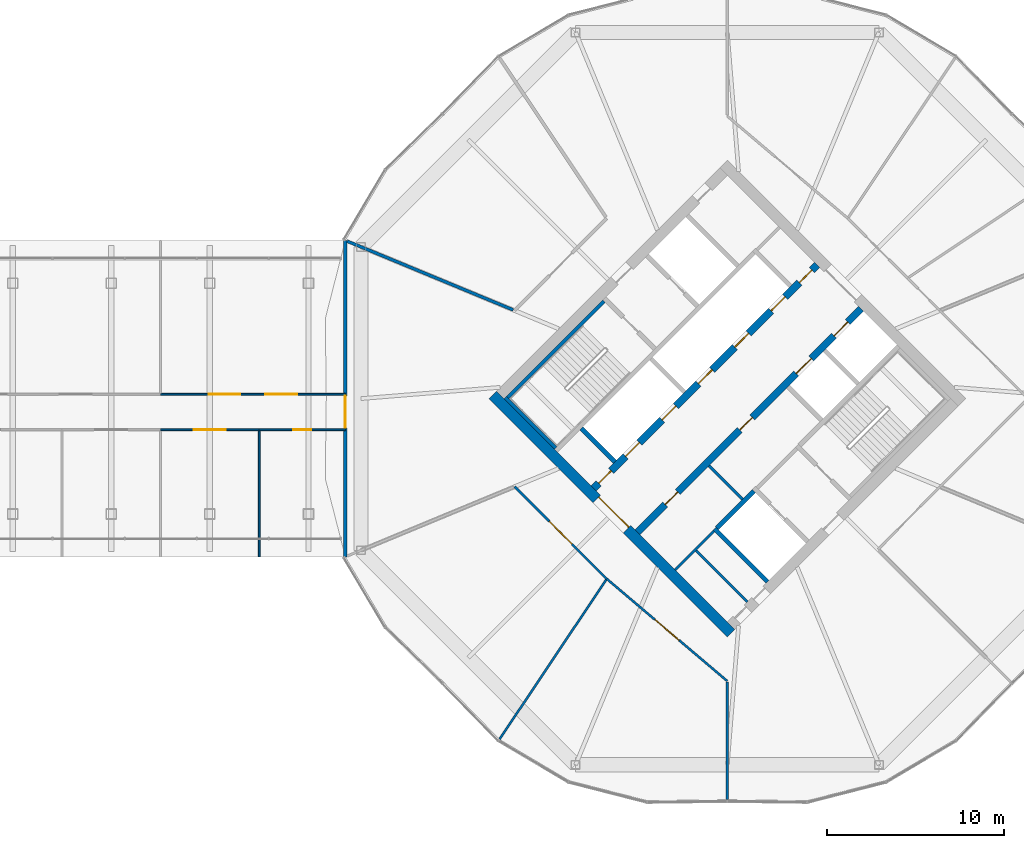
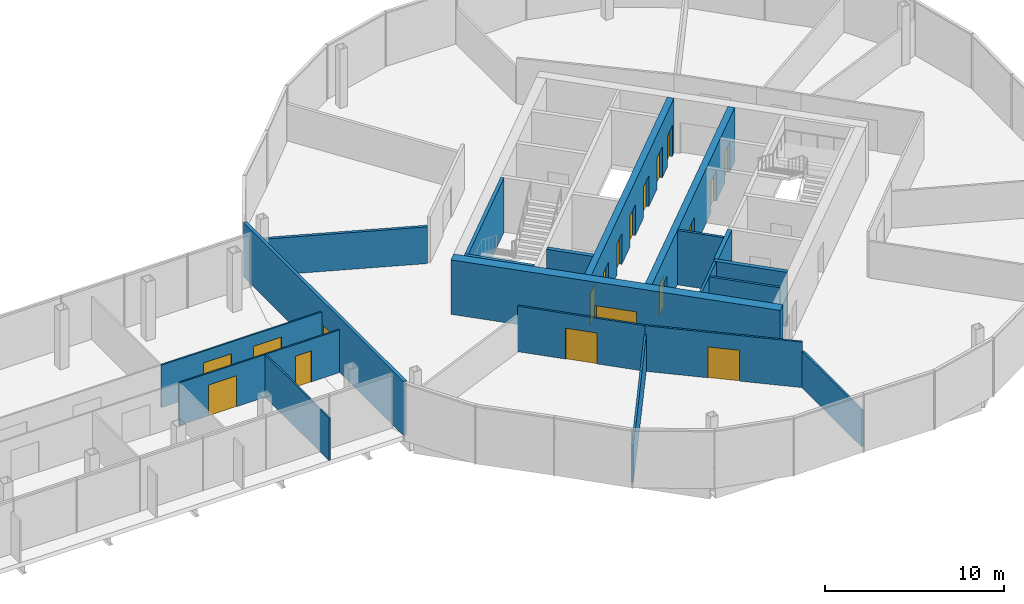
# One storey, part 22 of 25: 21 walls, 19 doors, 19 openings.
"""IFC4 building model written with IfcOpenShell, lengths in metres."""

from ifc_helpers import new_model, si_unit, direction, frame, frame_2d, origin, place, context, subcontext, project, spatial, rectangle, extrude, material, layer, layer_set, type_object, element, fill, save


model = new_model("IFC4")

# Units and contexts
model_context = context("Model", 3, precision=1e-05, world=origin(), true_north=direction((0.0, 1.0)))
body_context = subcontext(model_context, "Body", "Model", "MODEL_VIEW")
ifc_project = project(units=[si_unit("LENGTHUNIT", "METRE"), si_unit("AREAUNIT", "SQUARE_METRE"), si_unit("VOLUMEUNIT", "CUBIC_METRE"), si_unit("PLANEANGLEUNIT", "RADIAN"), si_unit("MASSUNIT", "GRAM", prefix="KILO")], contexts=[model_context])

# Site, building, storey
site_placement = place(None, origin())
site = spatial("IfcSite", under=ifc_project, at=site_placement, CompositionType="ELEMENT")
building_placement = place(site_placement, origin())
building = spatial("IfcBuilding", under=site, at=building_placement, Name="Ogive Gate Towers", CompositionType="ELEMENT")
storey_placement = place(building_placement, frame((0.0, 0.0, 144.800048828125)))
storey = spatial("IfcBuildingStorey", under=building, at=storey_placement, Name="L34", CompositionType="ELEMENT", Elevation=144.800048828125)

# Wall
ifc_material_1 = material(Name="Gypsum board acoustic partition")
ifc_layer_1 = layer(ifc_material_1, 0.175048828125)
ifc_layer_set_1 = layer_set([ifc_layer_1], Name="Acoustic partition 175")
wall_type_1 = type_object("IfcWallType", Name="Acoustic partition 175", PredefinedType="PARTITIONING", material=ifc_layer_set_1)
wall_1_placement = place(storey_placement, frame((14.573486328125, 8.875, 0.0), z_axis=(0.0, 0.0, 1.0), x_axis=(0.923886751229, -0.382666004375, 0.0)))
element("IfcWall", 1, at=wall_1_placement, inside=storey, type_object=wall_type_1, Name="Partition T2-L34-006", PredefinedType="PARTITIONING", context=body_context, shape_type="SweptSolid", body=[
    extrude(rectangle(XDim=10.13330078125, YDim=0.175048828125, at=frame_2d((5.066650390625, 0.0))), origin(), (0.0, 0.0, 1.0), 2.5),
])

# Wall, opening, door
ifc_material_2 = material(Name="Concrete C60/75", Category="concrete")
ifc_layer_2 = layer(ifc_material_2, 0.60009765625)
ifc_layer_set_2 = layer_set([ifc_layer_2], Name="Core wall 600 mm")
wall_type_2 = type_object("IfcWallType", Name="Core wall 600 mm", PredefinedType="SHEAR", material=ifc_layer_set_2)
wall_2_placement = place(storey_placement, frame((36.212158203125, -13.222900390625, 0.0), z_axis=(0.0, 0.0, 1.0), x_axis=(-0.707106781187, 0.707106781187, 0.0)))
wall_2 = element("IfcWall", 2, at=wall_2_placement, inside=storey, type_object=wall_type_2, Name="T2 L34 Core wall 600 mm", PredefinedType="SHEAR", context=body_context, shape_type="SweptSolid", body=[
    extrude(rectangle(XDim=19.0, YDim=0.60009765625, at=frame_2d((9.5, 0.0))), origin(), (0.0, 0.0, 1.0), 3.699951171875),
])
opening_1_placement = place(wall_2_placement, frame((8.300048828125, 0.0, 0.0)))
opening_1 = element("IfcOpeningElement", 3, at=opening_1_placement, cuts=wall_2, Name="Opening KD-T2-L34-01", PredefinedType="OPENING", context=body_context, shape_type="SweptSolid", body=[
    extrude(rectangle(XDim=2.39990234375, YDim=2.10009765625, at=frame_2d((1.199951171875, 1.050048828125))), frame((0.0, 0.31005859375, 0.0), z_axis=(0.0, -1.0, 0.0), x_axis=(1.0, 0.0, 0.0)), (0.0, 0.0, 1.0), 0.6201171875),
])
ifc_material_3 = material(Name="Steel fire door", Category="steel")
door_type_1 = type_object("IfcDoorType", Name="Core double door FD60S 2400 x 2100", OperationType="DOUBLE_DOOR_SINGLE_SWING", PredefinedType="DOOR", material=ifc_material_3)
door_1_placement = place(opening_1_placement, origin())
door_1 = element("IfcDoor", 4, at=door_1_placement, inside=storey, type_object=door_type_1, Name="T2 L34 Core door double", OperationType="DOUBLE_DOOR_SINGLE_SWING", OverallHeight=2.10009765625, OverallWidth=2.39990234375, PredefinedType="DOOR", context=body_context, shape_type="SweptSolid", body=[
    extrude(rectangle(XDim=2.39990234375, YDim=2.10009765625, at=frame_2d((1.199951171875, 1.050048828125))), frame((0.0, -0.125, 0.0), z_axis=(0.0, -1.0, 0.0), x_axis=(1.0, 0.0, 0.0)), (0.0, 0.0, 1.0), 0.050048828125),
])
fill(opening_1, door_1)

# Walls
ifc_material_4 = material(Name="Gypsum board partition")
ifc_layer_3 = layer(ifc_material_4, 0.125)
ifc_layer_set_3 = layer_set([ifc_layer_3], Name="Partition 125")
wall_type_3 = type_object("IfcWallType", Name="Partition 125", PredefinedType="PARTITIONING", material=ifc_layer_set_3)
wall_3_placement = place(storey_placement, frame((23.16015625, -19.2021484375, 0.0), z_axis=(0.0, 0.0, 1.0), x_axis=(0.55586120494, 0.831275117421, 0.0)))
element("IfcWall", 5, at=wall_3_placement, inside=storey, type_object=wall_type_3, Name="Partition T2-L34-008", PredefinedType="PARTITIONING", context=body_context, shape_type="SweptSolid", body=[
    extrude(rectangle(XDim=10.81640625, YDim=0.125, at=frame_2d((5.408203125, 0.0))), origin(), (0.0, 0.0, 1.0), 2.5),
])
wall_4_placement = place(storey_placement, frame((36.0, -22.59912109375, 0.0), z_axis=(0.0, 0.0, 1.0), x_axis=(0.0, 1.0, 0.0)))
element("IfcWall", 6, at=wall_4_placement, inside=storey, type_object=wall_type_3, Name="Partition T2-L34-009", PredefinedType="PARTITIONING", context=body_context, shape_type="SweptSolid", body=[
    extrude(rectangle(XDim=6.61669921875, YDim=0.125, at=frame_2d((3.308349609375, 0.0))), origin(), (0.0, 0.0, 1.0), 2.5),
])

# Wall, opening, door
wall_5_placement = place(storey_placement, frame((24.016357421875, -4.9638671875, 0.0), z_axis=(0.0, 0.0, 1.0), x_axis=(0.706840776595, -0.707372685748, 0.0)))
wall_5 = element("IfcWall", 7, at=wall_5_placement, inside=storey, type_object=wall_type_3, Name="Partition T2-L34-012", PredefinedType="PARTITIONING", context=body_context, shape_type="SweptSolid", body=[
    extrude(rectangle(XDim=7.34375, YDim=0.125, at=frame_2d((3.671875, 0.0))), origin(), (0.0, 0.0, 1.0), 3.099853515625),
])
opening_2_placement = place(wall_5_placement, frame((2.77197265625, 0.0, 0.0)))
opening_2 = element("IfcOpeningElement", 8, at=opening_2_placement, cuts=wall_5, Name="Opening T2-L34-D01", PredefinedType="OPENING", context=body_context, shape_type="SweptSolid", body=[
    extrude(rectangle(XDim=1.800048828125, YDim=2.10009765625, at=frame_2d((0.89990234375, 1.050048828125))), frame((0.0, 0.072509765625, 0.0), z_axis=(0.0, -1.0, 0.0), x_axis=(1.0, 0.0, 0.0)), (0.0, 0.0, 1.0), 0.14501953125),
])
ifc_material_5 = material(Name="Timber door", Category="wood")
door_type_2 = type_object("IfcDoorType", Name="Door pair 1800", OperationType="NOTDEFINED", PredefinedType="DOOR", material=ifc_material_5)
door_2_placement = place(opening_2_placement, origin())
door_2 = element("IfcDoor", 9, at=door_2_placement, inside=storey, type_object=door_type_2, Name="Door T2-L34-D01", OperationType="DOUBLE_DOOR_DOUBLE_SWING", OverallHeight=2.10009765625, OverallWidth=1.800048828125, PredefinedType="DOOR", context=body_context, shape_type="SweptSolid", body=[
    extrude(rectangle(XDim=1.800048828125, YDim=2.10009765625, at=frame_2d((0.89990234375, 1.050048828125))), frame((0.0, 0.02490234375, 0.0), z_axis=(0.0, -1.0, 0.0), x_axis=(1.0, 0.0, 0.0)), (0.0, 0.0, 1.0), 0.050048828125),
])
fill(opening_2, door_2)

wall_6_placement = place(storey_placement, frame((29.207275390625, -10.15869140625, 0.0), z_axis=(0.0, 0.0, 1.0), x_axis=(0.762636147482, -0.646827725561, 0.0)))
wall_6 = element("IfcWall", 10, at=wall_6_placement, inside=storey, type_object=wall_type_3, Name="Partition T2-L34-013", PredefinedType="PARTITIONING", context=body_context, shape_type="SweptSolid", body=[
    extrude(rectangle(XDim=8.906982421875, YDim=0.125, at=frame_2d((4.45361328125, 0.0))), origin(), (0.0, 0.0, 1.0), 3.099853515625),
])
opening_3_placement = place(wall_6_placement, frame((3.552978515625, 0.0, 0.0)))
opening_3 = element("IfcOpeningElement", 11, at=opening_3_placement, cuts=wall_6, Name="Opening T2-L34-D02", PredefinedType="OPENING", context=body_context, shape_type="SweptSolid", body=[
    extrude(rectangle(XDim=1.800048828125, YDim=2.10009765625, at=frame_2d((0.89990234375, 1.050048828125))), frame((0.0, 0.072509765625, 0.0), z_axis=(0.0, -1.0, 0.0), x_axis=(1.0, 0.0, 0.0)), (0.0, 0.0, 1.0), 0.14501953125),
])
door_3_placement = place(opening_3_placement, origin())
door_3 = element("IfcDoor", 12, at=door_3_placement, inside=storey, type_object=door_type_2, Name="Door T2-L34-D02", OperationType="DOUBLE_DOOR_DOUBLE_SWING", OverallHeight=2.10009765625, OverallWidth=1.800048828125, PredefinedType="DOOR", context=body_context, shape_type="SweptSolid", body=[
    extrude(rectangle(XDim=1.800048828125, YDim=2.10009765625, at=frame_2d((0.89990234375, 1.050048828125))), frame((0.0, 0.02490234375, 0.0), z_axis=(0.0, -1.0, 0.0), x_axis=(1.0, 0.0, 0.0)), (0.0, 0.0, 1.0), 0.050048828125),
])
fill(opening_3, door_3)

# Wall, openings, doors
ifc_layer_4 = layer(ifc_material_4, 0.10009765625)
ifc_layer_set_4 = layer_set([ifc_layer_4], Name="Partition wall 100")
wall_type_4 = type_object("IfcWallType", Name="Partition wall 100", PredefinedType="PARTITIONING", material=ifc_layer_set_4)
wall_7_placement = place(storey_placement, frame((4.060791015625, 0.25, 0.0), z_axis=(0.0, 0.0, 1.0), x_axis=(1.0, 0.0, 0.0)))
wall_7 = element("IfcWall", 13, at=wall_7_placement, inside=storey, type_object=wall_type_4, Name="L34 partition 004", PredefinedType="PARTITIONING", context=body_context, shape_type="SweptSolid", body=[
    extrude(rectangle(XDim=10.412841796875, YDim=0.10009765625, at=frame_2d((5.20654296875, 0.0))), origin(), (0.0, 0.0, 1.0), 2.89990234375),
])
opening_4_placement = place(wall_7_placement, frame((2.703857421875, 0.0, 0.0)))
opening_4 = element("IfcOpeningElement", 14, at=opening_4_placement, cuts=wall_7, Name="Opening PO246", PredefinedType="OPENING", context=body_context, shape_type="SweptSolid", body=[
    extrude(rectangle(XDim=1.800048828125, YDim=2.10009765625, at=frame_2d((0.89990234375, 1.050048828125))), frame((0.0, 0.06005859375, 0.0), z_axis=(0.0, -1.0, 0.0), x_axis=(1.0, 0.0, 0.0)), (0.0, 0.0, 1.0), 0.1201171875),
])
opening_5_placement = place(wall_7_placement, frame((5.908935546875, 0.0, 0.0)))
opening_5 = element("IfcOpeningElement", 15, at=opening_5_placement, cuts=wall_7, Name="Opening PO247", PredefinedType="OPENING", context=body_context, shape_type="SweptSolid", body=[
    extrude(rectangle(XDim=1.800048828125, YDim=2.10009765625, at=frame_2d((0.89990234375, 1.050048828125))), frame((0.0, 0.06005859375, 0.0), z_axis=(0.0, -1.0, 0.0), x_axis=(1.0, 0.0, 0.0)), (0.0, 0.0, 1.0), 0.1201171875),
])
door_type_3 = type_object("IfcDoorType", Name="Double door 1800 x 2100", OperationType="NOTDEFINED", PredefinedType="DOOR", material=ifc_material_5)
door_4_placement = place(opening_4_placement, origin())
door_4 = element("IfcDoor", 16, at=door_4_placement, inside=storey, type_object=door_type_3, Name="Door PO246", OperationType="DOUBLE_DOOR_DOUBLE_SWING", OverallHeight=2.10009765625, OverallWidth=1.800048828125, PredefinedType="DOOR", context=body_context, shape_type="SweptSolid", body=[
    extrude(rectangle(XDim=1.800048828125, YDim=2.10009765625, at=frame_2d((0.89990234375, 1.050048828125))), frame((0.0, 0.02490234375, 0.0), z_axis=(0.0, -1.0, 0.0), x_axis=(1.0, 0.0, 0.0)), (0.0, 0.0, 1.0), 0.050048828125),
])
fill(opening_4, door_4)
door_5_placement = place(opening_5_placement, origin())
door_5 = element("IfcDoor", 17, at=door_5_placement, inside=storey, type_object=door_type_3, Name="Door PO247", OperationType="DOUBLE_DOOR_DOUBLE_SWING", OverallHeight=2.10009765625, OverallWidth=1.800048828125, PredefinedType="DOOR", context=body_context, shape_type="SweptSolid", body=[
    extrude(rectangle(XDim=1.800048828125, YDim=2.10009765625, at=frame_2d((0.89990234375, 1.050048828125))), frame((0.0, 0.02490234375, 0.0), z_axis=(0.0, -1.0, 0.0), x_axis=(1.0, 0.0, 0.0)), (0.0, 0.0, 1.0), 0.050048828125),
])
fill(opening_5, door_5)

# Wall, opening, door
wall_8_placement = place(storey_placement, frame((4.060791015625, -1.75, 0.0), z_axis=(0.0, 0.0, 1.0), x_axis=(1.0, 0.0, 0.0)))
wall_8 = element("IfcWall", 18, at=wall_8_placement, inside=storey, type_object=wall_type_4, Name="L34 partition 007", PredefinedType="PARTITIONING", context=body_context, shape_type="SweptSolid", body=[
    extrude(rectangle(XDim=5.556396484375, YDim=0.10009765625, at=frame_2d((2.7783203125, 0.0))), origin(), (0.0, 0.0, 1.0), 2.89990234375),
])
opening_6_placement = place(wall_8_placement, frame((1.878173828125, 0.0, 0.0)))
opening_6 = element("IfcOpeningElement", 19, at=opening_6_placement, cuts=wall_8, Name="Opening PO250", PredefinedType="OPENING", context=body_context, shape_type="SweptSolid", body=[
    extrude(rectangle(XDim=1.800048828125, YDim=2.10009765625, at=frame_2d((0.89990234375, 1.050048828125))), frame((0.0, 0.06005859375, 0.0), z_axis=(0.0, -1.0, 0.0), x_axis=(1.0, 0.0, 0.0)), (0.0, 0.0, 1.0), 0.1201171875),
])
door_6_placement = place(opening_6_placement, origin())
door_6 = element("IfcDoor", 20, at=door_6_placement, inside=storey, type_object=door_type_3, Name="Door PO250", OperationType="DOUBLE_DOOR_DOUBLE_SWING", OverallHeight=2.10009765625, OverallWidth=1.800048828125, PredefinedType="DOOR", context=body_context, shape_type="SweptSolid", body=[
    extrude(rectangle(XDim=1.800048828125, YDim=2.10009765625, at=frame_2d((0.89990234375, 1.050048828125))), frame((0.0, 0.02490234375, 0.0), z_axis=(0.0, -1.0, 0.0), x_axis=(1.0, 0.0, 0.0)), (0.0, 0.0, 1.0), 0.050048828125),
])
fill(opening_6, door_6)

wall_9_placement = place(storey_placement, frame((9.6171875, -1.75, 0.0), z_axis=(0.0, 0.0, 1.0), x_axis=(1.0, 0.0, 0.0)))
wall_9 = element("IfcWall", 21, at=wall_9_placement, inside=storey, type_object=wall_type_4, Name="L34 partition 008", PredefinedType="PARTITIONING", context=body_context, shape_type="SweptSolid", body=[
    extrude(rectangle(XDim=4.8564453125, YDim=0.10009765625, at=frame_2d((2.42822265625, 0.0))), origin(), (0.0, 0.0, 1.0), 2.89990234375),
])
opening_7_placement = place(wall_9_placement, frame((1.92822265625, 0.0, 0.0)))
opening_7 = element("IfcOpeningElement", 22, at=opening_7_placement, cuts=wall_9, Name="Opening PO251", PredefinedType="OPENING", context=body_context, shape_type="SweptSolid", body=[
    extrude(rectangle(XDim=1.0, YDim=2.10009765625, at=frame_2d((0.5, 1.050048828125))), frame((0.0, 0.06005859375, 0.0), z_axis=(0.0, -1.0, 0.0), x_axis=(1.0, 0.0, 0.0)), (0.0, 0.0, 1.0), 0.1201171875),
])
door_type_4 = type_object("IfcDoorType", Name="Door 1000 x 2100", OperationType="NOTDEFINED", PredefinedType="DOOR", material=ifc_material_5)
door_7_placement = place(opening_7_placement, origin())
door_7 = element("IfcDoor", 23, at=door_7_placement, inside=storey, type_object=door_type_4, Name="Door PO251", OperationType="SINGLE_SWING_LEFT", OverallHeight=2.10009765625, OverallWidth=1.0, PredefinedType="DOOR", context=body_context, shape_type="SweptSolid", body=[
    extrude(rectangle(XDim=1.0, YDim=2.10009765625, at=frame_2d((0.5, 1.050048828125))), frame((0.0, 0.02490234375, 0.0), z_axis=(0.0, -1.0, 0.0), x_axis=(1.0, 0.0, 0.0)), (0.0, 0.0, 1.0), 0.050048828125),
])
fill(opening_7, door_7)

# Wall
wall_10_placement = place(storey_placement, frame((9.6171875, -8.91650390625, 0.0), z_axis=(0.0, 0.0, 1.0), x_axis=(0.0, 1.0, 0.0)))
element("IfcWall", 24, at=wall_10_placement, inside=storey, type_object=wall_type_4, Name="L34 partition 019", PredefinedType="PARTITIONING", context=body_context, shape_type="SweptSolid", body=[
    extrude(rectangle(XDim=7.116455078125, YDim=0.10009765625, at=frame_2d((3.55810546875, 0.0))), origin(), (0.0, 0.0, 1.0), 2.89990234375),
])

# Wall, opening, door
ifc_material_6 = material(Name="Masonry block wall", Category="masonry")
ifc_layer_5 = layer(ifc_material_6, 0.199951171875)
ifc_layer_set_5 = layer_set([ifc_layer_5], Name="Partition wall 200")
wall_type_5 = type_object("IfcWallType", Name="Partition wall 200", PredefinedType="PARTITIONING", material=ifc_layer_set_5)
wall_11_placement = place(storey_placement, frame((14.4736328125, -8.91650390625, 0.0), z_axis=(0.0, 0.0, 1.0), x_axis=(0.0, 1.0, 0.0)))
wall_11 = element("IfcWall", 25, at=wall_11_placement, inside=storey, type_object=wall_type_5, Name="L34 wall 021", PredefinedType="PARTITIONING", context=body_context, shape_type="SweptSolid", body=[
    extrude(rectangle(XDim=17.8330078125, YDim=0.199951171875, at=frame_2d((8.91650390625, 0.0))), origin(), (0.0, 0.0, 1.0), 3.699951171875),
])
opening_8_placement = place(wall_11_placement, frame((7.2666015625, 0.0, 0.0)))
opening_8 = element("IfcOpeningElement", 26, at=opening_8_placement, cuts=wall_11, Name="Opening PO253", PredefinedType="OPENING", context=body_context, shape_type="SweptSolid", body=[
    extrude(rectangle(XDim=1.800048828125, YDim=2.10009765625, at=frame_2d((0.89990234375, 1.050048828125))), frame((0.0, 0.10986328125, 0.0), z_axis=(0.0, -1.0, 0.0), x_axis=(1.0, 0.0, 0.0)), (0.0, 0.0, 1.0), 0.219970703125),
])
door_type_5 = type_object("IfcDoorType", Name="Interior fire double door FD120S 1800 x 2100", OperationType="NOTDEFINED", PredefinedType="DOOR", material=ifc_material_3)
door_8_placement = place(opening_8_placement, origin())
door_8 = element("IfcDoor", 27, at=door_8_placement, inside=storey, type_object=door_type_5, Name="Door PO253", OperationType="DOUBLE_DOOR_DOUBLE_SWING", OverallHeight=2.10009765625, OverallWidth=1.800048828125, PredefinedType="DOOR", context=body_context, shape_type="SweptSolid", body=[
    extrude(rectangle(XDim=1.800048828125, YDim=2.10009765625, at=frame_2d((0.89990234375, 1.050048828125))), frame((0.0, 0.02490234375, 0.0), z_axis=(0.0, -1.0, 0.0), x_axis=(1.0, 0.0, 0.0)), (0.0, 0.0, 1.0), 0.050048828125),
])
fill(opening_8, door_8)

# Walls
ifc_layer_6 = layer(ifc_material_4, 0.14990234375)
ifc_layer_set_6 = layer_set([ifc_layer_6], Name="Room partition 150 mm")
wall_type_6 = type_object("IfcWallType", Name="Room partition 150 mm", PredefinedType="PARTITIONING", material=ifc_layer_set_6)
wall_12_placement = place(storey_placement, frame((33.0654296875, -9.652099609375, 0.0), z_axis=(0.0, 0.0, 1.0), x_axis=(0.707146476181, 0.707067083964, 0.0)))
element("IfcWall", 28, at=wall_12_placement, inside=storey, type_object=wall_type_6, Name="T2 L34 Room partition 150 mm", PredefinedType="PARTITIONING", context=body_context, shape_type="SweptSolid", body=[
    extrude(rectangle(XDim=3.0751953125, YDim=0.14990234375, at=frame_2d((1.53759765625, 0.0))), origin(), (0.0, 0.0, 1.0), 3.699951171875),
])
wall_13_placement = place(storey_placement, frame((37.13134765625, -11.455078125, 0.0), z_axis=(0.0, 0.0, 1.0), x_axis=(-0.707106781187, 0.707106781187, 0.0)))
element("IfcWall", 29, at=wall_13_placement, inside=storey, type_object=wall_type_6, Name="T2 L34 Room partition 150 mm", PredefinedType="PARTITIONING", context=body_context, shape_type="SweptSolid", body=[
    extrude(rectangle(XDim=4.074951171875, YDim=0.14990234375, at=frame_2d((2.03759765625, 0.0))), origin(), (0.0, 0.0, 1.0), 3.699951171875),
])
wall_14_placement = place(storey_placement, frame((36.8662109375, -5.674560546875, 0.0), z_axis=(0.0, 0.0, 1.0), x_axis=(-0.707106781187, 0.707106781187, 0.0)))
element("IfcWall", 30, at=wall_14_placement, inside=storey, type_object=wall_type_6, Name="T2 L34 Room partition 150 mm", PredefinedType="PARTITIONING", context=body_context, shape_type="SweptSolid", body=[
    extrude(rectangle(XDim=2.675048828125, YDim=0.14990234375, at=frame_2d((1.33740234375, 0.0))), origin(), (0.0, 0.0, 1.0), 3.699951171875),
])
ifc_layer_7 = layer(ifc_material_2, 0.25)
ifc_layer_set_7 = layer_set([ifc_layer_7], Name="Shaft wall 250 mm")
wall_type_7 = type_object("IfcWallType", Name="Shaft wall 250 mm", PredefinedType="SHEAR", material=ifc_layer_set_7)
wall_15_placement = place(storey_placement, frame((35.41650390625, -7.30078125, 0.0), z_axis=(0.0, 0.0, 1.0), x_axis=(0.707148157867, 0.707065402085, 0.0)))
element("IfcWall", 31, at=wall_15_placement, inside=storey, type_object=wall_type_7, Name="T2 L34 Shaft wall 250 mm", PredefinedType="SHEAR", context=body_context, shape_type="SweptSolid", body=[
    extrude(rectangle(XDim=2.9501953125, YDim=0.25, at=frame_2d((1.47509765625, 0.0))), origin(), (0.0, 0.0, 1.0), 3.699951171875),
])
wall_16_placement = place(storey_placement, frame((29.67138671875, -3.57080078125, 0.0), z_axis=(0.0, 0.0, 1.0), x_axis=(-0.707152414227, 0.707061145201, 0.0)))
element("IfcWall", 32, at=wall_16_placement, inside=storey, type_object=wall_type_7, Name="T2 L34 Shaft wall 250 mm", PredefinedType="SHEAR", context=body_context, shape_type="SweptSolid", body=[
    extrude(rectangle(XDim=2.675048828125, YDim=0.25, at=frame_2d((1.33740234375, 0.0))), origin(), (0.0, 0.0, 1.0), 3.699951171875),
])
wall_17_placement = place(storey_placement, frame((38.2626953125, -10.32373046875, 0.0), z_axis=(0.0, 0.0, 1.0), x_axis=(-0.707106781187, 0.707106781187, 0.0)))
element("IfcWall", 33, at=wall_17_placement, inside=storey, type_object=wall_type_7, Name="T2 L34 Shaft wall 250 mm", PredefinedType="SHEAR", context=body_context, shape_type="SweptSolid", body=[
    extrude(rectangle(XDim=4.22509765625, YDim=0.25, at=frame_2d((2.112548828125, 0.0))), origin(), (0.0, 0.0, 1.0), 3.699951171875),
])

# Wall, openings, doors
ifc_layer_8 = layer(ifc_material_2, 0.39990234375)
ifc_layer_set_8 = layer_set([ifc_layer_8], Name="Spine wall 400 mm")
wall_type_8 = type_object("IfcWallType", Name="Spine wall 400 mm", PredefinedType="SHEAR", material=ifc_layer_set_8)
wall_18_placement = place(storey_placement, frame((30.944091796875, -7.53076171875, 0.0), z_axis=(0.0, 0.0, 1.0), x_axis=(0.707106781187, 0.707106781187, 0.0)))
wall_18 = element("IfcWall", 34, at=wall_18_placement, inside=storey, type_object=wall_type_8, Name="T2 L34 Spine wall 400 mm", PredefinedType="SHEAR", context=body_context, shape_type="SweptSolid", body=[
    extrude(rectangle(XDim=17.80029296875, YDim=0.39990234375, at=frame_2d((8.900146484375, 0.0))), origin(), (0.0, 0.0, 1.0), 3.699951171875),
])
opening_9_placement = place(wall_18_placement, frame((12.64990234375, 0.0, 0.0)))
opening_9 = element("IfcOpeningElement", 35, at=opening_9_placement, cuts=wall_18, Name="Opening LD-T2-L34-10", PredefinedType="OPENING", context=body_context, shape_type="SweptSolid", body=[
    extrude(rectangle(XDim=1.199951171875, YDim=2.10009765625, at=frame_2d((0.60009765625, 1.050048828125))), frame((0.0, 0.2099609375, 0.0), z_axis=(0.0, -1.0, 0.0), x_axis=(1.0, 0.0, 0.0)), (0.0, 0.0, 1.0), 0.419921875),
])
opening_10_placement = place(wall_18_placement, frame((15.64990234375, 0.0, 0.0)))
opening_10 = element("IfcOpeningElement", 36, at=opening_10_placement, cuts=wall_18, Name="Opening LD-T2-L34-11", PredefinedType="OPENING", context=body_context, shape_type="SweptSolid", body=[
    extrude(rectangle(XDim=1.10009765625, YDim=2.10009765625, at=frame_2d((0.550048828125, 1.050048828125))), frame((0.0, 0.2099609375, 0.0), z_axis=(0.0, -1.0, 0.0), x_axis=(1.0, 0.0, 0.0)), (0.0, 0.0, 1.0), 0.419921875),
])
opening_11_placement = place(wall_18_placement, frame((2.199951171875, 0.0, 0.0)))
opening_11 = element("IfcOpeningElement", 37, at=opening_11_placement, cuts=wall_18, Name="Opening KD-T2-L34-14", PredefinedType="OPENING", context=body_context, shape_type="SweptSolid", body=[
    extrude(rectangle(XDim=1.0, YDim=2.10009765625, at=frame_2d((0.5, 1.050048828125))), frame((0.0, 0.2099609375, 0.0), z_axis=(0.0, -1.0, 0.0), x_axis=(1.0, 0.0, 0.0)), (0.0, 0.0, 1.0), 0.419921875),
])
opening_12_placement = place(wall_18_placement, frame((8.14990234375, 0.0, 0.0)))
opening_12 = element("IfcOpeningElement", 38, at=opening_12_placement, cuts=wall_18, Name="Opening KD-T2-L34-15", PredefinedType="OPENING", context=body_context, shape_type="SweptSolid", body=[
    extrude(rectangle(XDim=1.0, YDim=2.10009765625, at=frame_2d((0.5, 1.050048828125))), frame((0.0, 0.2099609375, 0.0), z_axis=(0.0, -1.0, 0.0), x_axis=(1.0, 0.0, 0.0)), (0.0, 0.0, 1.0), 0.419921875),
])
door_type_6 = type_object("IfcDoorType", Name="Core door FD60S 1000 x 2100", OperationType="NOTDEFINED", PredefinedType="DOOR", material=ifc_material_3)
door_9_placement = place(opening_11_placement, origin())
door_9 = element("IfcDoor", 39, at=door_9_placement, inside=storey, type_object=door_type_6, Name="T2 L34 Core door", OperationType="SINGLE_SWING_LEFT", OverallHeight=2.10009765625, OverallWidth=1.0, PredefinedType="DOOR", context=body_context, shape_type="SweptSolid", body=[
    extrude(rectangle(XDim=1.0, YDim=2.10009765625, at=frame_2d((0.5, 1.050048828125))), frame((0.0, 0.02490234375, 0.0), z_axis=(0.0, -1.0, 0.0), x_axis=(1.0, 0.0, 0.0)), (0.0, 0.0, 1.0), 0.050048828125),
])
fill(opening_11, door_9)
door_10_placement = place(opening_12_placement, origin())
door_10 = element("IfcDoor", 40, at=door_10_placement, inside=storey, type_object=door_type_6, Name="T2 L34 Core door", OperationType="SINGLE_SWING_RIGHT", OverallHeight=2.10009765625, OverallWidth=1.0, PredefinedType="DOOR", context=body_context, shape_type="SweptSolid", body=[
    extrude(rectangle(XDim=1.0, YDim=2.10009765625, at=frame_2d((0.5, 1.050048828125))), frame((0.0, 0.02490234375, 0.0), z_axis=(0.0, -1.0, 0.0), x_axis=(1.0, 0.0, 0.0)), (0.0, 0.0, 1.0), 0.050048828125),
])
fill(opening_12, door_10)
ifc_material_7 = material(Name="Stainless steel landing door", Category="steel")
door_type_7 = type_object("IfcDoorType", Name="Landing door 1100 x 2100", OperationType="SLIDING_TO_LEFT", PredefinedType="DOOR", material=ifc_material_7)
door_11_placement = place(opening_10_placement, origin())
door_11 = element("IfcDoor", 41, at=door_11_placement, inside=storey, type_object=door_type_7, Name="T2 L34 Lift landing door B6", OperationType="SLIDING_TO_LEFT", OverallHeight=2.10009765625, OverallWidth=1.10009765625, PredefinedType="DOOR", context=body_context, shape_type="SweptSolid", body=[
    extrude(rectangle(XDim=1.10009765625, YDim=2.10009765625, at=frame_2d((0.550048828125, 1.050048828125))), frame((0.0, 0.02490234375, 0.0), z_axis=(0.0, -1.0, 0.0), x_axis=(1.0, 0.0, 0.0)), (0.0, 0.0, 1.0), 0.050048828125),
])
fill(opening_10, door_11)
door_type_8 = type_object("IfcDoorType", Name="Landing door 1200 x 2100", OperationType="SLIDING_TO_LEFT", PredefinedType="DOOR", material=ifc_material_7)
door_12_placement = place(opening_9_placement, origin())
door_12 = element("IfcDoor", 42, at=door_12_placement, inside=storey, type_object=door_type_8, Name="T2 L34 Lift landing door SVC", OperationType="SLIDING_TO_LEFT", OverallHeight=2.10009765625, OverallWidth=1.199951171875, PredefinedType="DOOR", context=body_context, shape_type="SweptSolid", body=[
    extrude(rectangle(XDim=1.199951171875, YDim=2.10009765625, at=frame_2d((0.60009765625, 1.050048828125))), frame((0.0, 0.02490234375, 0.0), z_axis=(0.0, -1.0, 0.0), x_axis=(1.0, 0.0, 0.0)), (0.0, 0.0, 1.0), 0.050048828125),
])
fill(opening_9, door_12)

wall_19_placement = place(storey_placement, frame((28.46923828125, -5.055908203125, 0.0), z_axis=(0.0, 0.0, 1.0), x_axis=(0.707106781187, 0.707106781187, 0.0)))
wall_19 = element("IfcWall", 43, at=wall_19_placement, inside=storey, type_object=wall_type_8, Name="T2 L34 Spine wall 400 mm", PredefinedType="SHEAR", context=body_context, shape_type="SweptSolid", body=[
    extrude(rectangle(XDim=17.80029296875, YDim=0.39990234375, at=frame_2d((8.900146484375, 0.0))), origin(), (0.0, 0.0, 1.0), 3.699951171875),
])
opening_13_placement = place(wall_19_placement, frame((0.39990234375, 0.0, 0.0)))
opening_13 = element("IfcOpeningElement", 44, at=opening_13_placement, cuts=wall_19, Name="Opening KD-T2-L34-03", PredefinedType="OPENING", context=body_context, shape_type="SweptSolid", body=[
    extrude(rectangle(XDim=1.0, YDim=2.10009765625, at=frame_2d((0.5, 1.050048828125))), frame((0.0, 0.2099609375, 0.0), z_axis=(0.0, -1.0, 0.0), x_axis=(1.0, 0.0, 0.0)), (0.0, 0.0, 1.0), 0.419921875),
])
opening_14_placement = place(wall_19_placement, frame((2.550048828125, 0.0, 0.0)))
opening_14 = element("IfcOpeningElement", 45, at=opening_14_placement, cuts=wall_19, Name="Opening LD-T2-L34-04", PredefinedType="OPENING", context=body_context, shape_type="SweptSolid", body=[
    extrude(rectangle(XDim=1.10009765625, YDim=2.10009765625, at=frame_2d((0.550048828125, 1.050048828125))), frame((0.0, 0.2099609375, 0.0), z_axis=(0.0, -1.0, 0.0), x_axis=(1.0, 0.0, 0.0)), (0.0, 0.0, 1.0), 0.419921875),
])
opening_15_placement = place(wall_19_placement, frame((5.449951171875, 0.0, 0.0)))
opening_15 = element("IfcOpeningElement", 46, at=opening_15_placement, cuts=wall_19, Name="Opening LD-T2-L34-05", PredefinedType="OPENING", context=body_context, shape_type="SweptSolid", body=[
    extrude(rectangle(XDim=1.10009765625, YDim=2.10009765625, at=frame_2d((0.550048828125, 1.050048828125))), frame((0.0, 0.2099609375, 0.0), z_axis=(0.0, -1.0, 0.0), x_axis=(1.0, 0.0, 0.0)), (0.0, 0.0, 1.0), 0.419921875),
])
opening_16_placement = place(wall_19_placement, frame((8.35009765625, 0.0, 0.0)))
opening_16 = element("IfcOpeningElement", 47, at=opening_16_placement, cuts=wall_19, Name="Opening LD-T2-L34-06", PredefinedType="OPENING", context=body_context, shape_type="SweptSolid", body=[
    extrude(rectangle(XDim=1.10009765625, YDim=2.10009765625, at=frame_2d((0.550048828125, 1.050048828125))), frame((0.0, 0.2099609375, 0.0), z_axis=(0.0, -1.0, 0.0), x_axis=(1.0, 0.0, 0.0)), (0.0, 0.0, 1.0), 0.419921875),
])
opening_17_placement = place(wall_19_placement, frame((11.25, 0.0, 0.0)))
opening_17 = element("IfcOpeningElement", 48, at=opening_17_placement, cuts=wall_19, Name="Opening LD-T2-L34-07", PredefinedType="OPENING", context=body_context, shape_type="SweptSolid", body=[
    extrude(rectangle(XDim=1.10009765625, YDim=2.10009765625, at=frame_2d((0.550048828125, 1.050048828125))), frame((0.0, 0.2099609375, 0.0), z_axis=(0.0, -1.0, 0.0), x_axis=(1.0, 0.0, 0.0)), (0.0, 0.0, 1.0), 0.419921875),
])
opening_18_placement = place(wall_19_placement, frame((14.14990234375, 0.0, 0.0)))
opening_18 = element("IfcOpeningElement", 49, at=opening_18_placement, cuts=wall_19, Name="Opening LD-T2-L34-08", PredefinedType="OPENING", context=body_context, shape_type="SweptSolid", body=[
    extrude(rectangle(XDim=1.10009765625, YDim=2.10009765625, at=frame_2d((0.550048828125, 1.050048828125))), frame((0.0, 0.2099609375, 0.0), z_axis=(0.0, -1.0, 0.0), x_axis=(1.0, 0.0, 0.0)), (0.0, 0.0, 1.0), 0.419921875),
])
opening_19_placement = place(wall_19_placement, frame((16.39990234375, 0.0, 0.0)))
opening_19 = element("IfcOpeningElement", 50, at=opening_19_placement, cuts=wall_19, Name="Opening KD-T2-L34-09", PredefinedType="OPENING", context=body_context, shape_type="SweptSolid", body=[
    extrude(rectangle(XDim=1.0, YDim=2.10009765625, at=frame_2d((0.5, 1.050048828125))), frame((0.0, 0.2099609375, 0.0), z_axis=(0.0, -1.0, 0.0), x_axis=(1.0, 0.0, 0.0)), (0.0, 0.0, 1.0), 0.419921875),
])
door_13_placement = place(opening_13_placement, origin())
door_13 = element("IfcDoor", 51, at=door_13_placement, inside=storey, type_object=door_type_6, Name="T2 L34 Core door", OperationType="SINGLE_SWING_RIGHT", OverallHeight=2.10009765625, OverallWidth=1.0, PredefinedType="DOOR", context=body_context, shape_type="SweptSolid", body=[
    extrude(rectangle(XDim=1.0, YDim=2.10009765625, at=frame_2d((0.5, 1.050048828125))), frame((0.0, 0.02490234375, 0.0), z_axis=(0.0, -1.0, 0.0), x_axis=(1.0, 0.0, 0.0)), (0.0, 0.0, 1.0), 0.050048828125),
])
fill(opening_13, door_13)
door_14_placement = place(opening_19_placement, origin())
door_14 = element("IfcDoor", 52, at=door_14_placement, inside=storey, type_object=door_type_6, Name="T2 L34 Core door", OperationType="SINGLE_SWING_RIGHT", OverallHeight=2.10009765625, OverallWidth=1.0, PredefinedType="DOOR", context=body_context, shape_type="SweptSolid", body=[
    extrude(rectangle(XDim=1.0, YDim=2.10009765625, at=frame_2d((0.5, 1.050048828125))), frame((0.0, 0.02490234375, 0.0), z_axis=(0.0, -1.0, 0.0), x_axis=(1.0, 0.0, 0.0)), (0.0, 0.0, 1.0), 0.050048828125),
])
fill(opening_19, door_14)
door_15_placement = place(opening_14_placement, origin())
door_15 = element("IfcDoor", 53, at=door_15_placement, inside=storey, type_object=door_type_7, Name="T2 L34 Lift landing door B1", OperationType="SLIDING_TO_LEFT", OverallHeight=2.10009765625, OverallWidth=1.10009765625, PredefinedType="DOOR", context=body_context, shape_type="SweptSolid", body=[
    extrude(rectangle(XDim=1.10009765625, YDim=2.10009765625, at=frame_2d((0.550048828125, 1.050048828125))), frame((0.0, 0.02490234375, 0.0), z_axis=(0.0, -1.0, 0.0), x_axis=(1.0, 0.0, 0.0)), (0.0, 0.0, 1.0), 0.050048828125),
])
fill(opening_14, door_15)
door_16_placement = place(opening_15_placement, origin())
door_16 = element("IfcDoor", 54, at=door_16_placement, inside=storey, type_object=door_type_7, Name="T2 L34 Lift landing door B2", OperationType="SLIDING_TO_LEFT", OverallHeight=2.10009765625, OverallWidth=1.10009765625, PredefinedType="DOOR", context=body_context, shape_type="SweptSolid", body=[
    extrude(rectangle(XDim=1.10009765625, YDim=2.10009765625, at=frame_2d((0.550048828125, 1.050048828125))), frame((0.0, 0.02490234375, 0.0), z_axis=(0.0, -1.0, 0.0), x_axis=(1.0, 0.0, 0.0)), (0.0, 0.0, 1.0), 0.050048828125),
])
fill(opening_15, door_16)
door_17_placement = place(opening_16_placement, origin())
door_17 = element("IfcDoor", 55, at=door_17_placement, inside=storey, type_object=door_type_7, Name="T2 L34 Lift landing door B3", OperationType="SLIDING_TO_LEFT", OverallHeight=2.10009765625, OverallWidth=1.10009765625, PredefinedType="DOOR", context=body_context, shape_type="SweptSolid", body=[
    extrude(rectangle(XDim=1.10009765625, YDim=2.10009765625, at=frame_2d((0.550048828125, 1.050048828125))), frame((0.0, 0.02490234375, 0.0), z_axis=(0.0, -1.0, 0.0), x_axis=(1.0, 0.0, 0.0)), (0.0, 0.0, 1.0), 0.050048828125),
])
fill(opening_16, door_17)
door_18_placement = place(opening_17_placement, origin())
door_18 = element("IfcDoor", 56, at=door_18_placement, inside=storey, type_object=door_type_7, Name="T2 L34 Lift landing door B4", OperationType="SLIDING_TO_LEFT", OverallHeight=2.10009765625, OverallWidth=1.10009765625, PredefinedType="DOOR", context=body_context, shape_type="SweptSolid", body=[
    extrude(rectangle(XDim=1.10009765625, YDim=2.10009765625, at=frame_2d((0.550048828125, 1.050048828125))), frame((0.0, 0.02490234375, 0.0), z_axis=(0.0, -1.0, 0.0), x_axis=(1.0, 0.0, 0.0)), (0.0, 0.0, 1.0), 0.050048828125),
])
fill(opening_17, door_18)
door_19_placement = place(opening_18_placement, origin())
door_19 = element("IfcDoor", 57, at=door_19_placement, inside=storey, type_object=door_type_7, Name="T2 L34 Lift landing door B5", OperationType="SLIDING_TO_LEFT", OverallHeight=2.10009765625, OverallWidth=1.10009765625, PredefinedType="DOOR", context=body_context, shape_type="SweptSolid", body=[
    extrude(rectangle(XDim=1.10009765625, YDim=2.10009765625, at=frame_2d((0.550048828125, 1.050048828125))), frame((0.0, 0.02490234375, 0.0), z_axis=(0.0, -1.0, 0.0), x_axis=(1.0, 0.0, 0.0)), (0.0, 0.0, 1.0), 0.050048828125),
])
fill(opening_18, door_19)

# Walls
ifc_layer_9 = layer(ifc_material_2, 0.199951171875)
ifc_layer_set_9 = layer_set([ifc_layer_9], Name="Stair wall 200 mm")
wall_type_9 = type_object("IfcWallType", Name="Stair wall 200 mm", PredefinedType="SHEAR", material=ifc_layer_set_9)
wall_20_placement = place(storey_placement, frame((23.62548828125, 0.07080078125, 0.0), z_axis=(0.0, 0.0, 1.0), x_axis=(0.707122685701, 0.707090876314, 0.0)))
element("IfcWall", 58, at=wall_20_placement, inside=storey, type_object=wall_type_9, Name="T2 L34 Stair wall 200 mm", PredefinedType="SHEAR", context=body_context, shape_type="SweptSolid", body=[
    extrude(rectangle(XDim=7.675048828125, YDim=0.199951171875, at=frame_2d((3.83740234375, 0.0))), origin(), (0.0, 0.0, 1.0), 3.699951171875),
])
wall_21_placement = place(storey_placement, frame((26.330322265625, -2.775390625, 0.0), z_axis=(0.0, 0.0, 1.0), x_axis=(-0.707106781187, 0.707106781187, 0.0)))
element("IfcWall", 59, at=wall_21_placement, inside=storey, type_object=wall_type_9, Name="T2 L34 Stair wall 200 mm", PredefinedType="SHEAR", context=body_context, shape_type="SweptSolid", body=[
    extrude(rectangle(XDim=4.025146484375, YDim=0.199951171875, at=frame_2d((2.0126953125, 0.0))), origin(), (0.0, 0.0, 1.0), 3.699951171875),
])

save(model, "model.ifc")
